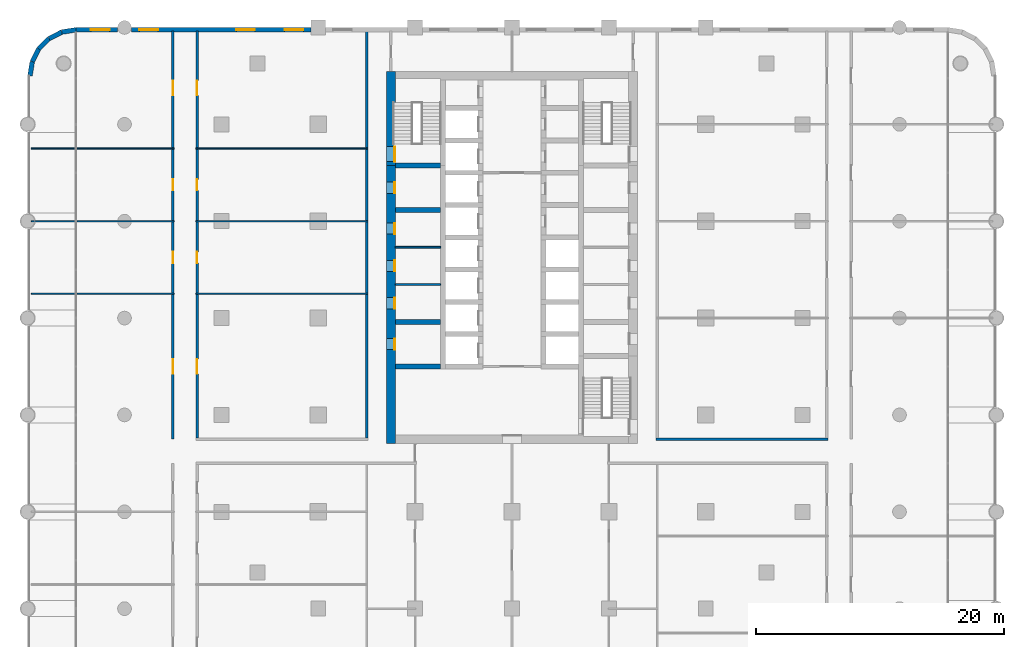
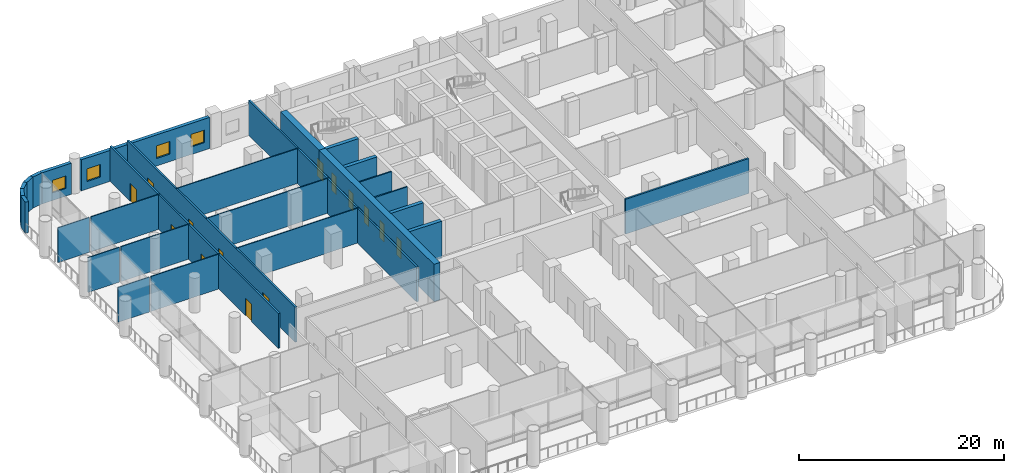
# One storey, part 11 of 23: 28 walls, 14 doors, 4 windows, 18 openings.
"""IFC4 building model written with IfcOpenShell, lengths in metres."""

from ifc_helpers import new_model, si_unit, direction, frame, frame_2d, origin, place, context, subcontext, project, spatial, rectangle, extrude, material, layer, layer_set, type_object, element, fill, save


model = new_model("IFC4")

# Units and contexts
model_context = context("Model", 3, precision=1e-05, world=origin(), true_north=direction((0.0, 1.0)))
body_context = subcontext(model_context, "Body", "Model", "MODEL_VIEW")
ifc_project = project(units=[si_unit("LENGTHUNIT", "METRE"), si_unit("AREAUNIT", "SQUARE_METRE"), si_unit("VOLUMEUNIT", "CUBIC_METRE"), si_unit("PLANEANGLEUNIT", "RADIAN"), si_unit("MASSUNIT", "GRAM", prefix="KILO")], contexts=[model_context])

# Site, building, storey
site_placement = place(None, origin())
site = spatial("IfcSite", under=ifc_project, at=site_placement, CompositionType="ELEMENT")
building_placement = place(site_placement, origin())
building = spatial("IfcBuilding", under=site, at=building_placement, Name="Ludao Terraces", CompositionType="ELEMENT")
storey_placement = place(building_placement, frame((0.0, 0.0, 10.5)))
storey = spatial("IfcBuildingStorey", under=building, at=storey_placement, Name="L02", CompositionType="ELEMENT", Elevation=10.5)

# Wall, openings, doors
ifc_material_1 = material(Name="Concrete C70", Category="concrete")
ifc_layer_1 = layer(ifc_material_1, 0.699951171875)
ifc_layer_set_1 = layer_set([ifc_layer_1], Name="Core wall 700 C70")
wall_type_1 = type_object("IfcWallType", Name="Core wall 700 C70", PredefinedType="SOLIDWALL", material=ifc_layer_set_1)
wall_1_placement = place(storey_placement, frame((75.25, 54.89990234375, -0.300048828125), z_axis=(0.0, 0.0, 1.0), x_axis=(0.0, 1.0, 0.0)))
wall_1 = element("IfcWall", 1, at=wall_1_placement, inside=storey, type_object=wall_type_1, Name="Core wall L02 outer-W", PredefinedType="SOLIDWALL", context=body_context, shape_type="SweptSolid", body=[
    extrude(rectangle(XDim=22.400146484375, YDim=0.699951171875, at=frame_2d((11.2001953125, 0.0))), origin(), (0.0, 0.0, 1.0), 4.449951171875),
])
opening_1_placement = place(wall_1_placement, frame((7.550048828125, 0.0, 0.300048828125)))
opening_1 = element("IfcOpeningElement", 2, at=opening_1_placement, cuts=wall_1, Name="Opening L02-036", PredefinedType="OPENING", context=body_context, shape_type="SweptSolid", body=[
    extrude(rectangle(XDim=0.89990234375, YDim=2.10009765625, at=frame_2d((0.449951171875, 1.050048828125))), frame((0.0, 0.35986328125, 0.0), z_axis=(0.0, -1.0, 0.0), x_axis=(1.0, 0.0, 0.0)), (0.0, 0.0, 1.0), 0.719970703125),
])
opening_2_placement = place(wall_1_placement, frame((10.85009765625, 0.0, 0.300048828125)))
opening_2 = element("IfcOpeningElement", 3, at=opening_2_placement, cuts=wall_1, Name="Opening L02-039", PredefinedType="OPENING", context=body_context, shape_type="SweptSolid", body=[
    extrude(rectangle(XDim=0.89990234375, YDim=2.10009765625, at=frame_2d((0.449951171875, 1.050048828125))), frame((0.0, 0.35986328125, 0.0), z_axis=(0.0, -1.0, 0.0), x_axis=(1.0, 0.0, 0.0)), (0.0, 0.0, 1.0), 0.719970703125),
])
opening_3_placement = place(wall_1_placement, frame((13.85009765625, 0.0, 0.300048828125)))
opening_3 = element("IfcOpeningElement", 4, at=opening_3_placement, cuts=wall_1, Name="Opening L02-044", PredefinedType="OPENING", context=body_context, shape_type="SweptSolid", body=[
    extrude(rectangle(XDim=0.89990234375, YDim=2.10009765625, at=frame_2d((0.449951171875, 1.050048828125))), frame((0.0, 0.35986328125, 0.0), z_axis=(0.0, -1.0, 0.0), x_axis=(1.0, 0.0, 0.0)), (0.0, 0.0, 1.0), 0.719970703125),
])
opening_4_placement = place(wall_1_placement, frame((16.85009765625, 0.0, 0.300048828125)))
opening_4 = element("IfcOpeningElement", 5, at=opening_4_placement, cuts=wall_1, Name="Opening L02-049", PredefinedType="OPENING", context=body_context, shape_type="SweptSolid", body=[
    extrude(rectangle(XDim=0.89990234375, YDim=2.10009765625, at=frame_2d((0.449951171875, 1.050048828125))), frame((0.0, 0.35986328125, 0.0), z_axis=(0.0, -1.0, 0.0), x_axis=(1.0, 0.0, 0.0)), (0.0, 0.0, 1.0), 0.719970703125),
])
opening_5_placement = place(wall_1_placement, frame((20.14990234375, 0.0, 0.300048828125)))
opening_5 = element("IfcOpeningElement", 6, at=opening_5_placement, cuts=wall_1, Name="Opening L02-055", PredefinedType="OPENING", context=body_context, shape_type="SweptSolid", body=[
    extrude(rectangle(XDim=0.89990234375, YDim=2.10009765625, at=frame_2d((0.449951171875, 1.050048828125))), frame((0.0, 0.35986328125, 0.0), z_axis=(0.0, -1.0, 0.0), x_axis=(1.0, 0.0, 0.0)), (0.0, 0.0, 1.0), 0.719970703125),
])
ifc_material_2 = material(Name="Steel Q235", Category="steel")
door_type_1 = type_object("IfcDoorType", Name="INT Riser door 900", OperationType="SINGLE_SWING_LEFT", PredefinedType="DOOR", material=ifc_material_2)
door_1_placement = place(opening_1_placement, origin())
door_1 = element("IfcDoor", 7, at=door_1_placement, inside=storey, type_object=door_type_1, Name="DOOR 036", OperationType="SINGLE_SWING_RIGHT", OverallHeight=2.10009765625, OverallWidth=0.89990234375, PredefinedType="DOOR", context=body_context, shape_type="SweptSolid", body=[
    extrude(rectangle(XDim=0.89990234375, YDim=2.10009765625, at=frame_2d((0.449951171875, 1.050048828125))), frame((0.0, -0.28515625, 0.0), z_axis=(0.0, -1.0, 0.0), x_axis=(1.0, 0.0, 0.0)), (0.0, 0.0, 1.0), 0.050048828125),
])
fill(opening_1, door_1)
door_2_placement = place(opening_5_placement, origin())
door_2 = element("IfcDoor", 8, at=door_2_placement, inside=storey, type_object=door_type_1, Name="DOOR 055", OperationType="SINGLE_SWING_RIGHT", OverallHeight=2.10009765625, OverallWidth=0.89990234375, PredefinedType="DOOR", context=body_context, shape_type="SweptSolid", body=[
    extrude(rectangle(XDim=0.89990234375, YDim=2.10009765625, at=frame_2d((0.449951171875, 1.050048828125))), frame((0.0, -0.28515625, 0.0), z_axis=(0.0, -1.0, 0.0), x_axis=(1.0, 0.0, 0.0)), (0.0, 0.0, 1.0), 0.050048828125),
])
fill(opening_5, door_2)
ifc_material_3 = material(Name="Timber door leaf", Category="wood")
door_type_2 = type_object("IfcDoorType", Name="INT Room door 900", OperationType="SINGLE_SWING_LEFT", PredefinedType="DOOR", material=ifc_material_3)
door_3_placement = place(opening_2_placement, origin())
door_3 = element("IfcDoor", 9, at=door_3_placement, inside=storey, type_object=door_type_2, Name="DOOR 039", OperationType="SINGLE_SWING_RIGHT", OverallHeight=2.10009765625, OverallWidth=0.89990234375, PredefinedType="DOOR", context=body_context, shape_type="SweptSolid", body=[
    extrude(rectangle(XDim=0.89990234375, YDim=2.10009765625, at=frame_2d((0.449951171875, 1.050048828125))), frame((0.0, -0.28515625, 0.0), z_axis=(0.0, -1.0, 0.0), x_axis=(1.0, 0.0, 0.0)), (0.0, 0.0, 1.0), 0.050048828125),
])
fill(opening_2, door_3)
door_4_placement = place(opening_3_placement, origin())
door_4 = element("IfcDoor", 10, at=door_4_placement, inside=storey, type_object=door_type_2, Name="DOOR 044", OperationType="SINGLE_SWING_LEFT", OverallHeight=2.10009765625, OverallWidth=0.89990234375, PredefinedType="DOOR", context=body_context, shape_type="SweptSolid", body=[
    extrude(rectangle(XDim=0.89990234375, YDim=2.10009765625, at=frame_2d((0.449951171875, 1.050048828125))), frame((0.0, -0.28515625, 0.0), z_axis=(0.0, -1.0, 0.0), x_axis=(1.0, 0.0, 0.0)), (0.0, 0.0, 1.0), 0.050048828125),
])
fill(opening_3, door_4)
door_5_placement = place(opening_4_placement, origin())
door_5 = element("IfcDoor", 11, at=door_5_placement, inside=storey, type_object=door_type_2, Name="DOOR 049", OperationType="SINGLE_SWING_LEFT", OverallHeight=2.10009765625, OverallWidth=0.89990234375, PredefinedType="DOOR", context=body_context, shape_type="SweptSolid", body=[
    extrude(rectangle(XDim=0.89990234375, YDim=2.10009765625, at=frame_2d((0.449951171875, 1.050048828125))), frame((0.0, -0.28515625, 0.0), z_axis=(0.0, -1.0, 0.0), x_axis=(1.0, 0.0, 0.0)), (0.0, 0.0, 1.0), 0.050048828125),
])
fill(opening_4, door_5)

# Wall, opening, door
wall_2_placement = place(storey_placement, frame((75.25, 77.300048828125, -0.300048828125), z_axis=(0.0, 0.0, 1.0), x_axis=(0.0, 1.0, 0.0)))
wall_2 = element("IfcWall", 12, at=wall_2_placement, inside=storey, type_object=wall_type_1, Name="Core wall L02 outer-W-S1", PredefinedType="SOLIDWALL", context=body_context, shape_type="SweptSolid", body=[
    extrude(rectangle(XDim=7.550048828125, YDim=0.699951171875, at=frame_2d((3.77490234375, 0.0))), origin(), (0.0, 0.0, 1.0), 4.449951171875),
])
opening_6_placement = place(wall_2_placement, frame((0.300048828125, 0.0, 0.300048828125)))
opening_6 = element("IfcOpeningElement", 13, at=opening_6_placement, cuts=wall_2, Name="Opening L02-064", PredefinedType="OPENING", context=body_context, shape_type="SweptSolid", body=[
    extrude(rectangle(XDim=1.199951171875, YDim=2.10009765625, at=frame_2d((0.60009765625, 1.050048828125))), frame((0.0, 0.35986328125, 0.0), z_axis=(0.0, -1.0, 0.0), x_axis=(1.0, 0.0, 0.0)), (0.0, 0.0, 1.0), 0.719970703125),
])
door_type_3 = type_object("IfcDoorType", Name="INT Stair door 1200", OperationType="DOUBLE_DOOR_SINGLE_SWING", PredefinedType="DOOR", material=ifc_material_2)
door_6_placement = place(opening_6_placement, origin())
door_6 = element("IfcDoor", 14, at=door_6_placement, inside=storey, type_object=door_type_3, Name="DOOR 064", OperationType="DOUBLE_DOOR_SINGLE_SWING", OverallHeight=2.10009765625, OverallWidth=1.199951171875, PredefinedType="DOOR", context=body_context, shape_type="SweptSolid", body=[
    extrude(rectangle(XDim=1.199951171875, YDim=2.10009765625, at=frame_2d((0.60009765625, 1.050048828125))), frame((0.0, -0.28515625, 0.0), z_axis=(0.0, -1.0, 0.0), x_axis=(1.0, 0.0, 0.0)), (0.0, 0.0, 1.0), 0.050048828125),
])
fill(opening_6, door_6)

# Wall, opening, window
ifc_material_4 = material(Name="Granite cladding", Category="masonry")
ifc_layer_2 = layer(ifc_material_4, 0.06005859375, Category="stone")
ifc_material_5 = material(Name="Mineral wool")
ifc_layer_3 = layer(ifc_material_5, 0.06005859375)
ifc_material_6 = material(Name="Concrete C40", Category="concrete")
ifc_layer_4 = layer(ifc_material_6, 0.260009765625, Category="concrete")
ifc_layer_set_2 = layer_set([ifc_layer_2, ifc_layer_3, ifc_layer_4], Name="ENV Stone-clad wall 380")
wall_type_2 = type_object("IfcWallType", Name="ENV Stone-clad wall 380", PredefinedType="SOLIDWALL", material=ifc_layer_set_2)
wall_3_placement = place(storey_placement, frame((49.89990234375, 88.2099609375, 0.0), z_axis=(0.0, 0.0, 1.0), x_axis=(1.0, 0.0, 0.0)))
wall_3 = element("IfcWall", 15, at=wall_3_placement, inside=storey, type_object=wall_type_2, Name="EW-L02-N1", PredefinedType="SOLIDWALL", context=body_context, shape_type="SweptSolid", body=[
    extrude(rectangle(XDim=3.35009765625, YDim=0.3798828125, at=frame_2d((1.675048828125, 0.0))), origin(), (0.0, 0.0, 1.0), 3.699951171875),
])
opening_7_placement = place(wall_3_placement, frame((1.199951171875, 0.0, 0.89990234375)))
opening_7 = element("IfcOpeningElement", 16, at=opening_7_placement, cuts=wall_3, Name="Opening W5", PredefinedType="OPENING", context=body_context, shape_type="SweptSolid", body=[
    extrude(rectangle(XDim=1.5, YDim=1.5, at=frame_2d((0.75, 0.75))), frame((0.0, 0.199951171875, 0.0), z_axis=(0.0, -1.0, 0.0), x_axis=(1.0, 0.0, 0.0)), (0.0, 0.0, 1.0), 0.39990234375),
])
ifc_material_7 = material(Name="Clear glass in aluminium frame", Category="aluminium")
ifc_layer_5 = layer(ifc_material_7, 0.06005859375)
ifc_layer_set_3 = layer_set([ifc_layer_5], Name="ENV Window W5 1500x1500")
window_type = type_object("IfcWindowType", Name="ENV Window W5 1500x1500", PartitioningType="SINGLE_PANEL", PredefinedType="WINDOW", material=ifc_layer_set_3)
window_1_placement = place(opening_7_placement, origin())
window_1 = element("IfcWindow", 17, at=window_1_placement, inside=storey, type_object=window_type, Name="W-L02-N1-1", OverallHeight=1.5, OverallWidth=1.5, PartitioningType="SINGLE_PANEL", PredefinedType="WINDOW", context=body_context, shape_type="SweptSolid", body=[
    extrude(rectangle(XDim=1.5, YDim=1.5, at=frame_2d((0.75, 0.75))), frame((0.0, 0.030029296875, 0.0), z_axis=(0.0, -1.0, 0.0), x_axis=(1.0, 0.0, 0.0)), (0.0, 0.0, 1.0), 0.06005859375),
])
fill(opening_7, window_1)

# Wall, openings, windows
wall_4_placement = place(storey_placement, frame((54.35009765625, 88.2099609375, 0.0), z_axis=(0.0, 0.0, 1.0), x_axis=(1.0, 0.0, 0.0)))
wall_4 = element("IfcWall", 18, at=wall_4_placement, inside=storey, type_object=wall_type_2, Name="EW-L02-N2", PredefinedType="SOLIDWALL", context=body_context, shape_type="SweptSolid", body=[
    extrude(rectangle(XDim=14.449951171875, YDim=0.3798828125, at=frame_2d((7.22509765625, 0.0))), origin(), (0.0, 0.0, 1.0), 3.699951171875),
])
opening_8_placement = place(wall_4_placement, frame((0.64990234375, 0.0, 0.89990234375)))
opening_8 = element("IfcOpeningElement", 19, at=opening_8_placement, cuts=wall_4, Name="Opening W5", PredefinedType="OPENING", context=body_context, shape_type="SweptSolid", body=[
    extrude(rectangle(XDim=1.5, YDim=1.5, at=frame_2d((0.75, 0.75))), frame((0.0, 0.199951171875, 0.0), z_axis=(0.0, -1.0, 0.0), x_axis=(1.0, 0.0, 0.0)), (0.0, 0.0, 1.0), 0.39990234375),
])
opening_9_placement = place(wall_4_placement, frame((8.449951171875, 0.0, 0.89990234375)))
opening_9 = element("IfcOpeningElement", 20, at=opening_9_placement, cuts=wall_4, Name="Opening W5", PredefinedType="OPENING", context=body_context, shape_type="SweptSolid", body=[
    extrude(rectangle(XDim=1.5, YDim=1.5, at=frame_2d((0.75, 0.75))), frame((0.0, 0.199951171875, 0.0), z_axis=(0.0, -1.0, 0.0), x_axis=(1.0, 0.0, 0.0)), (0.0, 0.0, 1.0), 0.39990234375),
])
opening_10_placement = place(wall_4_placement, frame((12.35009765625, 0.0, 0.89990234375)))
opening_10 = element("IfcOpeningElement", 21, at=opening_10_placement, cuts=wall_4, Name="Opening W5", PredefinedType="OPENING", context=body_context, shape_type="SweptSolid", body=[
    extrude(rectangle(XDim=1.5, YDim=1.5, at=frame_2d((0.75, 0.75))), frame((0.0, 0.199951171875, 0.0), z_axis=(0.0, -1.0, 0.0), x_axis=(1.0, 0.0, 0.0)), (0.0, 0.0, 1.0), 0.39990234375),
])
window_2_placement = place(opening_8_placement, origin())
window_2 = element("IfcWindow", 22, at=window_2_placement, inside=storey, type_object=window_type, Name="W-L02-N2-1", OverallHeight=1.5, OverallWidth=1.5, PartitioningType="SINGLE_PANEL", PredefinedType="WINDOW", context=body_context, shape_type="SweptSolid", body=[
    extrude(rectangle(XDim=1.5, YDim=1.5, at=frame_2d((0.75, 0.75))), frame((0.0, 0.030029296875, 0.0), z_axis=(0.0, -1.0, 0.0), x_axis=(1.0, 0.0, 0.0)), (0.0, 0.0, 1.0), 0.06005859375),
])
fill(opening_8, window_2)
window_3_placement = place(opening_9_placement, origin())
window_3 = element("IfcWindow", 23, at=window_3_placement, inside=storey, type_object=window_type, Name="W-L02-N2-2", OverallHeight=1.5, OverallWidth=1.5, PartitioningType="SINGLE_PANEL", PredefinedType="WINDOW", context=body_context, shape_type="SweptSolid", body=[
    extrude(rectangle(XDim=1.5, YDim=1.5, at=frame_2d((0.75, 0.75))), frame((0.0, 0.030029296875, 0.0), z_axis=(0.0, -1.0, 0.0), x_axis=(1.0, 0.0, 0.0)), (0.0, 0.0, 1.0), 0.06005859375),
])
fill(opening_9, window_3)
window_4_placement = place(opening_10_placement, origin())
window_4 = element("IfcWindow", 24, at=window_4_placement, inside=storey, type_object=window_type, Name="W-L02-N2-3", OverallHeight=1.5, OverallWidth=1.5, PartitioningType="SINGLE_PANEL", PredefinedType="WINDOW", context=body_context, shape_type="SweptSolid", body=[
    extrude(rectangle(XDim=1.5, YDim=1.5, at=frame_2d((0.75, 0.75))), frame((0.0, 0.030029296875, 0.0), z_axis=(0.0, -1.0, 0.0), x_axis=(1.0, 0.0, 0.0)), (0.0, 0.0, 1.0), 0.06005859375),
])
fill(opening_10, window_4)

# Walls
wall_5_placement = place(storey_placement, frame((49.89990234375, 88.2099609375, 0.0), z_axis=(0.0, 0.0, 1.0), x_axis=(-0.987675821844, -0.156513484867, 0.0)))
element("IfcWall", 25, at=wall_5_placement, inside=storey, type_object=wall_type_2, Name="EW-L02-NW1", PredefinedType="SOLIDWALL", context=body_context, shape_type="SweptSolid", body=[
    extrude(rectangle(XDim=1.16064453125, YDim=0.3798828125, at=frame_2d((0.580322265625, 0.0))), origin(), (0.0, 0.0, 1.0), 3.699951171875),
])
for number, where, z_axis, x_axis, name in (
    (26, (48.753662109375, 88.0283203125, 0.0), (0.0, 0.0, 1.0), (-0.891079617357, -0.453847017762, 0.0), "EW-L02-NW2"),
    (27, (47.71923828125, 87.50146484375, 0.0), (0.0, 0.0, 1.0), (-0.707106781187, -0.707106781187, 0.0), "EW-L02-NW3"),
):
    element("IfcWall", number, at=place(storey_placement, frame(where, z_axis=z_axis, x_axis=x_axis)), inside=storey, type_object=wall_type_2, Name=name, PredefinedType="SOLIDWALL", context=body_context, shape_type="SweptSolid", body=[
        extrude(rectangle(XDim=1.160888671875, YDim=0.3798828125, at=frame_2d((0.58056640625, 0.0))), origin(), (0.0, 0.0, 1.0), 3.699951171875),
    ])
wall_6_placement = place(storey_placement, frame((46.8984375, 86.6806640625, 0.0), z_axis=(0.0, 0.0, 1.0), x_axis=(-0.453932083539, -0.891036286317, 0.0)))
element("IfcWall", 28, at=wall_6_placement, inside=storey, type_object=wall_type_2, Name="EW-L02-NW4", PredefinedType="SOLIDWALL", context=body_context, shape_type="SweptSolid", body=[
    extrude(rectangle(XDim=1.16064453125, YDim=0.3798828125, at=frame_2d((0.580322265625, 0.0))), origin(), (0.0, 0.0, 1.0), 3.699951171875),
])
wall_7_placement = place(storey_placement, frame((46.37158203125, 85.646484375, 0.0), z_axis=(0.0, 0.0, 1.0), x_axis=(-0.156480971952, -0.987680973502, 0.0)))
element("IfcWall", 29, at=wall_7_placement, inside=storey, type_object=wall_type_2, Name="EW-L02-NW5", PredefinedType="SOLIDWALL", context=body_context, shape_type="SweptSolid", body=[
    extrude(rectangle(XDim=1.160888671875, YDim=0.3798828125, at=frame_2d((0.58056640625, 0.0))), origin(), (0.0, 0.0, 1.0), 3.699951171875),
])
ifc_material_8 = material(Name="Fire-rated gypsum plasterboard", Category="gypsum")
ifc_layer_6 = layer(ifc_material_8, 0.012451171875, Category="gypsum")
ifc_layer_7 = layer(ifc_material_5, 0.10009765625, Name="insulation")
ifc_layer_8 = layer(ifc_material_2, 0.02490234375, Name="stud")
ifc_layer_9 = layer(ifc_material_8, 0.012451171875, Category="gypsum")
ifc_layer_set_4 = layer_set([ifc_layer_6, ifc_layer_7, ifc_layer_8, ifc_layer_9], Name="INT Core partition 150")
wall_type_3 = type_object("IfcWallType", Name="INT Core partition 150", PredefinedType="PARTITIONING", material=ifc_layer_set_4)
for number, where, z_axis, x_axis, name in (
    (30, (75.60009765625, 67.699951171875, 0.0), (0.0, 0.0, 1.0), (1.0, 0.0, 0.0), "PW-L02-PW032"),
    (31, (75.60009765625, 70.699951171875, 0.0), (0.0, 0.0, 1.0), (1.0, 0.0, 0.0), "PW-L02-PW034"),
):
    element("IfcWall", number, at=place(storey_placement, frame(where, z_axis=z_axis, x_axis=x_axis)), inside=storey, type_object=wall_type_3, Name=name, PredefinedType="PARTITIONING", context=body_context, shape_type="SweptSolid", body=[
        extrude(rectangle(XDim=3.64990234375, YDim=0.14990234375, at=frame_2d((1.824951171875, 0.0))), origin(), (0.0, 0.0, 1.0), 4.14990234375),
    ])
ifc_material_9 = material(Name="Autoclaved aerated concrete block B06 A3.5", Category="concrete")
ifc_layer_10 = layer(ifc_material_9, 0.199951171875)
ifc_layer_set_5 = layer_set([ifc_layer_10], Name="INT Entrance wall 200")
wall_type_4 = type_object("IfcWallType", Name="INT Entrance wall 200", PredefinedType="PARTITIONING", material=ifc_layer_set_5)
wall_8_placement = place(storey_placement, frame((96.60009765625, 55.25, 0.0), z_axis=(0.0, 0.0, 1.0), x_axis=(1.0, 0.0, 0.0)))
element("IfcWall", 32, at=wall_8_placement, inside=storey, type_object=wall_type_4, Name="PW-L02-PW024", PredefinedType="PARTITIONING", context=body_context, shape_type="SweptSolid", body=[
    extrude(rectangle(XDim=13.85009765625, YDim=0.199951171875, at=frame_2d((6.925048828125, 0.0))), origin(), (0.0, 0.0, 1.0), 4.14990234375),
])

# Wall, openings, doors
wall_9_placement = place(storey_placement, frame((57.699951171875, 55.25, 0.0), z_axis=(0.0, 0.0, 1.0), x_axis=(0.0, 1.0, 0.0)))
wall_9 = element("IfcWall", 33, at=wall_9_placement, inside=storey, type_object=wall_type_4, Name="PW-L02-PW051", PredefinedType="PARTITIONING", context=body_context, shape_type="SweptSolid", body=[
    extrude(rectangle(XDim=32.85009765625, YDim=0.199951171875, at=frame_2d((16.425048828125, 0.0))), origin(), (0.0, 0.0, 1.0), 4.14990234375),
])
opening_11_placement = place(wall_9_placement, frame((5.25, 0.0, 0.0)))
opening_11 = element("IfcOpeningElement", 34, at=opening_11_placement, cuts=wall_9, Name="Opening L02-032", PredefinedType="OPENING", context=body_context, shape_type="SweptSolid", body=[
    extrude(rectangle(XDim=1.199951171875, YDim=2.10009765625, at=frame_2d((0.60009765625, 1.050048828125))), frame((0.0, 0.10986328125, 0.0), z_axis=(0.0, -1.0, 0.0), x_axis=(1.0, 0.0, 0.0)), (0.0, 0.0, 1.0), 0.219970703125),
])
opening_12_placement = place(wall_9_placement, frame((14.175048828125, 0.0, 0.0)))
opening_12 = element("IfcOpeningElement", 35, at=opening_12_placement, cuts=wall_9, Name="Opening L02-046", PredefinedType="OPENING", context=body_context, shape_type="SweptSolid", body=[
    extrude(rectangle(XDim=0.89990234375, YDim=2.10009765625, at=frame_2d((0.449951171875, 1.050048828125))), frame((0.0, 0.10986328125, 0.0), z_axis=(0.0, -1.0, 0.0), x_axis=(1.0, 0.0, 0.0)), (0.0, 0.0, 1.0), 0.219970703125),
])
opening_13_placement = place(wall_9_placement, frame((20.025146484375, 0.0, 0.0)))
opening_13 = element("IfcOpeningElement", 36, at=opening_13_placement, cuts=wall_9, Name="Opening L02-057", PredefinedType="OPENING", context=body_context, shape_type="SweptSolid", body=[
    extrude(rectangle(XDim=0.89990234375, YDim=2.10009765625, at=frame_2d((0.449951171875, 1.050048828125))), frame((0.0, 0.10986328125, 0.0), z_axis=(0.0, -1.0, 0.0), x_axis=(1.0, 0.0, 0.0)), (0.0, 0.0, 1.0), 0.219970703125),
])
opening_14_placement = place(wall_9_placement, frame((27.675048828125, 0.0, 0.0)))
opening_14 = element("IfcOpeningElement", 37, at=opening_14_placement, cuts=wall_9, Name="Opening L02-070", PredefinedType="OPENING", context=body_context, shape_type="SweptSolid", body=[
    extrude(rectangle(XDim=1.199951171875, YDim=2.10009765625, at=frame_2d((0.60009765625, 1.050048828125))), frame((0.0, 0.10986328125, 0.0), z_axis=(0.0, -1.0, 0.0), x_axis=(1.0, 0.0, 0.0)), (0.0, 0.0, 1.0), 0.219970703125),
])
door_type_4 = type_object("IfcDoorType", Name="INT Double door 1200", OperationType="DOUBLE_DOOR_SINGLE_SWING", PredefinedType="DOOR", material=ifc_material_3)
door_7_placement = place(opening_11_placement, origin())
door_7 = element("IfcDoor", 38, at=door_7_placement, inside=storey, type_object=door_type_4, Name="DOOR 032", OperationType="DOUBLE_DOOR_SINGLE_SWING", OverallHeight=2.10009765625, OverallWidth=1.199951171875, PredefinedType="DOOR", context=body_context, shape_type="SweptSolid", body=[
    extrude(rectangle(XDim=1.199951171875, YDim=2.10009765625, at=frame_2d((0.60009765625, 1.050048828125))), frame((0.0, 0.02490234375, 0.0), z_axis=(0.0, -1.0, 0.0), x_axis=(1.0, 0.0, 0.0)), (0.0, 0.0, 1.0), 0.050048828125),
])
fill(opening_11, door_7)
door_8_placement = place(opening_14_placement, origin())
door_8 = element("IfcDoor", 39, at=door_8_placement, inside=storey, type_object=door_type_4, Name="DOOR 070", OperationType="DOUBLE_DOOR_SINGLE_SWING", OverallHeight=2.10009765625, OverallWidth=1.199951171875, PredefinedType="DOOR", context=body_context, shape_type="SweptSolid", body=[
    extrude(rectangle(XDim=1.199951171875, YDim=2.10009765625, at=frame_2d((0.60009765625, 1.050048828125))), frame((0.0, 0.02490234375, 0.0), z_axis=(0.0, -1.0, 0.0), x_axis=(1.0, 0.0, 0.0)), (0.0, 0.0, 1.0), 0.050048828125),
])
fill(opening_14, door_8)
door_9_placement = place(opening_12_placement, origin())
door_9 = element("IfcDoor", 40, at=door_9_placement, inside=storey, type_object=door_type_2, Name="DOOR 046", OperationType="SINGLE_SWING_RIGHT", OverallHeight=2.10009765625, OverallWidth=0.89990234375, PredefinedType="DOOR", context=body_context, shape_type="SweptSolid", body=[
    extrude(rectangle(XDim=0.89990234375, YDim=2.10009765625, at=frame_2d((0.449951171875, 1.050048828125))), frame((0.0, 0.02490234375, 0.0), z_axis=(0.0, -1.0, 0.0), x_axis=(1.0, 0.0, 0.0)), (0.0, 0.0, 1.0), 0.050048828125),
])
fill(opening_12, door_9)
door_10_placement = place(opening_13_placement, origin())
door_10 = element("IfcDoor", 41, at=door_10_placement, inside=storey, type_object=door_type_2, Name="DOOR 057", OperationType="SINGLE_SWING_RIGHT", OverallHeight=2.10009765625, OverallWidth=0.89990234375, PredefinedType="DOOR", context=body_context, shape_type="SweptSolid", body=[
    extrude(rectangle(XDim=0.89990234375, YDim=2.10009765625, at=frame_2d((0.449951171875, 1.050048828125))), frame((0.0, 0.02490234375, 0.0), z_axis=(0.0, -1.0, 0.0), x_axis=(1.0, 0.0, 0.0)), (0.0, 0.0, 1.0), 0.050048828125),
])
fill(opening_13, door_10)

wall_10_placement = place(storey_placement, frame((59.64990234375, 55.35009765625, 0.0), z_axis=(0.0, 0.0, 1.0), x_axis=(0.0, 1.0, 0.0)))
wall_10 = element("IfcWall", 42, at=wall_10_placement, inside=storey, type_object=wall_type_4, Name="PW-L02-PW053", PredefinedType="PARTITIONING", context=body_context, shape_type="SweptSolid", body=[
    extrude(rectangle(XDim=32.75, YDim=0.199951171875, at=frame_2d((16.375, 0.0))), origin(), (0.0, 0.0, 1.0), 4.14990234375),
])
opening_15_placement = place(wall_10_placement, frame((5.14990234375, 0.0, 0.0)))
opening_15 = element("IfcOpeningElement", 43, at=opening_15_placement, cuts=wall_10, Name="Opening L02-033", PredefinedType="OPENING", context=body_context, shape_type="SweptSolid", body=[
    extrude(rectangle(XDim=1.199951171875, YDim=2.10009765625, at=frame_2d((0.60009765625, 1.050048828125))), frame((0.0, 0.10986328125, 0.0), z_axis=(0.0, -1.0, 0.0), x_axis=(1.0, 0.0, 0.0)), (0.0, 0.0, 1.0), 0.219970703125),
])
opening_16_placement = place(wall_10_placement, frame((14.074951171875, 0.0, 0.0)))
opening_16 = element("IfcOpeningElement", 44, at=opening_16_placement, cuts=wall_10, Name="Opening L02-047", PredefinedType="OPENING", context=body_context, shape_type="SweptSolid", body=[
    extrude(rectangle(XDim=0.89990234375, YDim=2.10009765625, at=frame_2d((0.449951171875, 1.050048828125))), frame((0.0, 0.10986328125, 0.0), z_axis=(0.0, -1.0, 0.0), x_axis=(1.0, 0.0, 0.0)), (0.0, 0.0, 1.0), 0.219970703125),
])
opening_17_placement = place(wall_10_placement, frame((19.925048828125, 0.0, 0.0)))
opening_17 = element("IfcOpeningElement", 45, at=opening_17_placement, cuts=wall_10, Name="Opening L02-058", PredefinedType="OPENING", context=body_context, shape_type="SweptSolid", body=[
    extrude(rectangle(XDim=0.89990234375, YDim=2.10009765625, at=frame_2d((0.449951171875, 1.050048828125))), frame((0.0, 0.10986328125, 0.0), z_axis=(0.0, -1.0, 0.0), x_axis=(1.0, 0.0, 0.0)), (0.0, 0.0, 1.0), 0.219970703125),
])
opening_18_placement = place(wall_10_placement, frame((27.574951171875, 0.0, 0.0)))
opening_18 = element("IfcOpeningElement", 46, at=opening_18_placement, cuts=wall_10, Name="Opening L02-071", PredefinedType="OPENING", context=body_context, shape_type="SweptSolid", body=[
    extrude(rectangle(XDim=1.199951171875, YDim=2.10009765625, at=frame_2d((0.60009765625, 1.050048828125))), frame((0.0, 0.10986328125, 0.0), z_axis=(0.0, -1.0, 0.0), x_axis=(1.0, 0.0, 0.0)), (0.0, 0.0, 1.0), 0.219970703125),
])
door_11_placement = place(opening_15_placement, origin())
door_11 = element("IfcDoor", 47, at=door_11_placement, inside=storey, type_object=door_type_4, Name="DOOR 033", OperationType="DOUBLE_DOOR_SINGLE_SWING", OverallHeight=2.10009765625, OverallWidth=1.199951171875, PredefinedType="DOOR", context=body_context, shape_type="SweptSolid", body=[
    extrude(rectangle(XDim=1.199951171875, YDim=2.10009765625, at=frame_2d((0.60009765625, 1.050048828125))), frame((0.0, 0.02490234375, 0.0), z_axis=(0.0, -1.0, 0.0), x_axis=(1.0, 0.0, 0.0)), (0.0, 0.0, 1.0), 0.050048828125),
])
fill(opening_15, door_11)
door_12_placement = place(opening_18_placement, origin())
door_12 = element("IfcDoor", 48, at=door_12_placement, inside=storey, type_object=door_type_4, Name="DOOR 071", OperationType="DOUBLE_DOOR_SINGLE_SWING", OverallHeight=2.10009765625, OverallWidth=1.199951171875, PredefinedType="DOOR", context=body_context, shape_type="SweptSolid", body=[
    extrude(rectangle(XDim=1.199951171875, YDim=2.10009765625, at=frame_2d((0.60009765625, 1.050048828125))), frame((0.0, 0.02490234375, 0.0), z_axis=(0.0, -1.0, 0.0), x_axis=(1.0, 0.0, 0.0)), (0.0, 0.0, 1.0), 0.050048828125),
])
fill(opening_18, door_12)
door_13_placement = place(opening_16_placement, origin())
door_13 = element("IfcDoor", 49, at=door_13_placement, inside=storey, type_object=door_type_2, Name="DOOR 047", OperationType="SINGLE_SWING_RIGHT", OverallHeight=2.10009765625, OverallWidth=0.89990234375, PredefinedType="DOOR", context=body_context, shape_type="SweptSolid", body=[
    extrude(rectangle(XDim=0.89990234375, YDim=2.10009765625, at=frame_2d((0.449951171875, 1.050048828125))), frame((0.0, 0.02490234375, 0.0), z_axis=(0.0, -1.0, 0.0), x_axis=(1.0, 0.0, 0.0)), (0.0, 0.0, 1.0), 0.050048828125),
])
fill(opening_16, door_13)
door_14_placement = place(opening_17_placement, origin())
door_14 = element("IfcDoor", 50, at=door_14_placement, inside=storey, type_object=door_type_2, Name="DOOR 058", OperationType="SINGLE_SWING_RIGHT", OverallHeight=2.10009765625, OverallWidth=0.89990234375, PredefinedType="DOOR", context=body_context, shape_type="SweptSolid", body=[
    extrude(rectangle(XDim=0.89990234375, YDim=2.10009765625, at=frame_2d((0.449951171875, 1.050048828125))), frame((0.0, 0.02490234375, 0.0), z_axis=(0.0, -1.0, 0.0), x_axis=(1.0, 0.0, 0.0)), (0.0, 0.0, 1.0), 0.050048828125),
])
fill(opening_17, door_14)

# Walls
wall_11_placement = place(storey_placement, frame((73.300048828125, 55.35009765625, 0.0), z_axis=(0.0, 0.0, 1.0), x_axis=(0.0, 1.0, 0.0)))
element("IfcWall", 51, at=wall_11_placement, inside=storey, type_object=wall_type_4, Name="PW-L02-PW055", PredefinedType="PARTITIONING", context=body_context, shape_type="SweptSolid", body=[
    extrude(rectangle(XDim=32.75, YDim=0.199951171875, at=frame_2d((16.375, 0.0))), origin(), (0.0, 0.0, 1.0), 4.14990234375),
])
ifc_material_10 = material(Name="Gypsum plasterboard", Category="gypsum")
ifc_layer_11 = layer(ifc_material_10, 0.012451171875, Category="gypsum")
ifc_layer_12 = layer(ifc_material_5, 0.06005859375, Name="insulation")
ifc_layer_13 = layer(ifc_material_2, 0.014892578125, Name="stud")
ifc_layer_14 = layer(ifc_material_10, 0.012451171875, Category="gypsum")
ifc_layer_set_6 = layer_set([ifc_layer_11, ifc_layer_12, ifc_layer_13, ifc_layer_14], Name="INT Partition 100")
wall_type_5 = type_object("IfcWallType", Name="INT Partition 100", PredefinedType="PARTITIONING", material=ifc_layer_set_6)
wall_12_placement = place(storey_placement, frame((46.300048828125, 66.949951171875, 0.0), z_axis=(0.0, 0.0, 1.0), x_axis=(1.0, 0.0, 0.0)))
element("IfcWall", 52, at=wall_12_placement, inside=storey, type_object=wall_type_5, Name="PW-L02-PW029", PredefinedType="PARTITIONING", context=body_context, shape_type="SweptSolid", body=[
    extrude(rectangle(XDim=3.52001953125, YDim=0.10009765625, at=frame_2d((1.760009765625, 0.0))), origin(), (0.0, 0.0, 1.0), 4.14990234375),
])
wall_13_placement = place(storey_placement, frame((49.97998046875, 66.949951171875, 0.0), z_axis=(0.0, 0.0, 1.0), x_axis=(1.0, 0.0, 0.0)))
element("IfcWall", 53, at=wall_13_placement, inside=storey, type_object=wall_type_5, Name="PW-L02-PW030", PredefinedType="PARTITIONING", context=body_context, shape_type="SweptSolid", body=[
    extrude(rectangle(XDim=7.820068359375, YDim=0.10009765625, at=frame_2d((3.91015625, 0.0))), origin(), (0.0, 0.0, 1.0), 4.14990234375),
])
wall_14_placement = place(storey_placement, frame((59.550048828125, 66.949951171875, 0.0), z_axis=(0.0, 0.0, 1.0), x_axis=(1.0, 0.0, 0.0)))
element("IfcWall", 54, at=wall_14_placement, inside=storey, type_object=wall_type_5, Name="PW-L02-PW031", PredefinedType="PARTITIONING", context=body_context, shape_type="SweptSolid", body=[
    extrude(rectangle(XDim=13.85009765625, YDim=0.10009765625, at=frame_2d((6.925048828125, 0.0))), origin(), (0.0, 0.0, 1.0), 4.14990234375),
])
wall_15_placement = place(storey_placement, frame((46.300048828125, 72.800048828125, 0.0), z_axis=(0.0, 0.0, 1.0), x_axis=(1.0, 0.0, 0.0)))
element("IfcWall", 55, at=wall_15_placement, inside=storey, type_object=wall_type_5, Name="PW-L02-PW036", PredefinedType="PARTITIONING", context=body_context, shape_type="SweptSolid", body=[
    extrude(rectangle(XDim=3.52001953125, YDim=0.10009765625, at=frame_2d((1.760009765625, 0.0))), origin(), (0.0, 0.0, 1.0), 4.14990234375),
])
wall_16_placement = place(storey_placement, frame((49.97998046875, 72.800048828125, 0.0), z_axis=(0.0, 0.0, 1.0), x_axis=(1.0, 0.0, 0.0)))
element("IfcWall", 56, at=wall_16_placement, inside=storey, type_object=wall_type_5, Name="PW-L02-PW037", PredefinedType="PARTITIONING", context=body_context, shape_type="SweptSolid", body=[
    extrude(rectangle(XDim=7.820068359375, YDim=0.10009765625, at=frame_2d((3.91015625, 0.0))), origin(), (0.0, 0.0, 1.0), 4.14990234375),
])
wall_17_placement = place(storey_placement, frame((59.550048828125, 72.800048828125, 0.0), z_axis=(0.0, 0.0, 1.0), x_axis=(1.0, 0.0, 0.0)))
element("IfcWall", 57, at=wall_17_placement, inside=storey, type_object=wall_type_5, Name="PW-L02-PW038", PredefinedType="PARTITIONING", context=body_context, shape_type="SweptSolid", body=[
    extrude(rectangle(XDim=13.85009765625, YDim=0.10009765625, at=frame_2d((6.925048828125, 0.0))), origin(), (0.0, 0.0, 1.0), 4.14990234375),
])
wall_18_placement = place(storey_placement, frame((46.300048828125, 78.64990234375, 0.0), z_axis=(0.0, 0.0, 1.0), x_axis=(1.0, 0.0, 0.0)))
element("IfcWall", 58, at=wall_18_placement, inside=storey, type_object=wall_type_5, Name="PW-L02-PW043", PredefinedType="PARTITIONING", context=body_context, shape_type="SweptSolid", body=[
    extrude(rectangle(XDim=3.52001953125, YDim=0.10009765625, at=frame_2d((1.760009765625, 0.0))), origin(), (0.0, 0.0, 1.0), 4.14990234375),
])
wall_19_placement = place(storey_placement, frame((49.97998046875, 78.64990234375, 0.0), z_axis=(0.0, 0.0, 1.0), x_axis=(1.0, 0.0, 0.0)))
element("IfcWall", 59, at=wall_19_placement, inside=storey, type_object=wall_type_5, Name="PW-L02-PW044", PredefinedType="PARTITIONING", context=body_context, shape_type="SweptSolid", body=[
    extrude(rectangle(XDim=7.820068359375, YDim=0.10009765625, at=frame_2d((3.91015625, 0.0))), origin(), (0.0, 0.0, 1.0), 4.14990234375),
])
wall_20_placement = place(storey_placement, frame((59.550048828125, 78.64990234375, 0.0), z_axis=(0.0, 0.0, 1.0), x_axis=(1.0, 0.0, 0.0)))
element("IfcWall", 60, at=wall_20_placement, inside=storey, type_object=wall_type_5, Name="PW-L02-PW045", PredefinedType="PARTITIONING", context=body_context, shape_type="SweptSolid", body=[
    extrude(rectangle(XDim=13.85009765625, YDim=0.10009765625, at=frame_2d((6.925048828125, 0.0))), origin(), (0.0, 0.0, 1.0), 4.14990234375),
])
ifc_material_11 = material(Name="Concrete C60", Category="concrete")
ifc_layer_15 = layer(ifc_material_11, 0.39990234375)
ifc_layer_set_7 = layer_set([ifc_layer_15], Name="Shaft wall 400 C60")
wall_type_6 = type_object("IfcWallType", Name="Shaft wall 400 C60", PredefinedType="SOLIDWALL", material=ifc_layer_set_7)
for number, where, z_axis, x_axis, name in (
    (61, (75.60009765625, 61.10009765625, -0.300048828125), (0.0, 0.0, 1.0), (1.0, 0.0, 0.0), "Core wall L02 hall-W"),
    (62, (75.60009765625, 64.699951171875, -0.300048828125), (0.0, 0.0, 1.0), (1.0, 0.0, 0.0), "Core wall L02 riser-a-W"),
    (63, (75.60009765625, 73.699951171875, -0.300048828125), (0.0, 0.0, 1.0), (1.0, 0.0, 0.0), "Core wall L02 riser-b-W"),
    (64, (75.60009765625, 77.300048828125, -0.300048828125), (0.0, 0.0, 1.0), (1.0, 0.0, 0.0), "Core wall L02 stair-W"),
):
    element("IfcWall", number, at=place(storey_placement, frame(where, z_axis=z_axis, x_axis=x_axis)), inside=storey, type_object=wall_type_6, Name=name, PredefinedType="SOLIDWALL", context=body_context, shape_type="SweptSolid", body=[
        extrude(rectangle(XDim=3.64990234375, YDim=0.39990234375, at=frame_2d((1.824951171875, 0.0))), origin(), (0.0, 0.0, 1.0), 4.449951171875),
    ])

save(model, "model.ifc")
